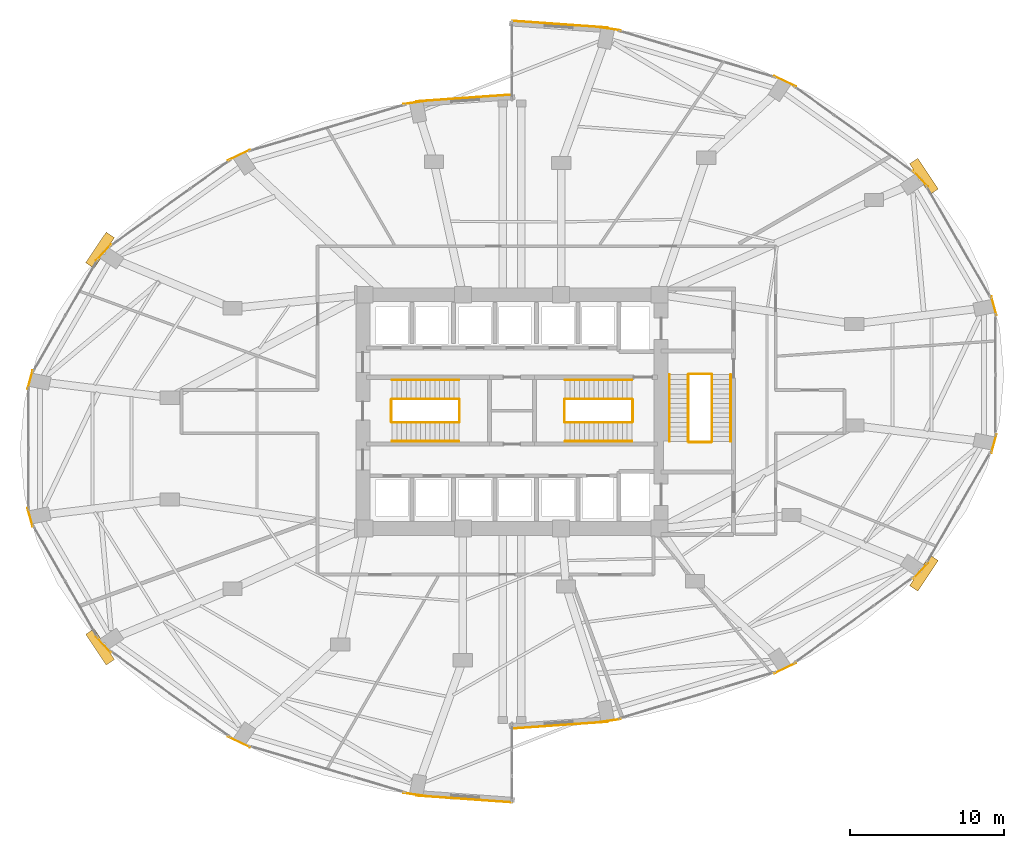
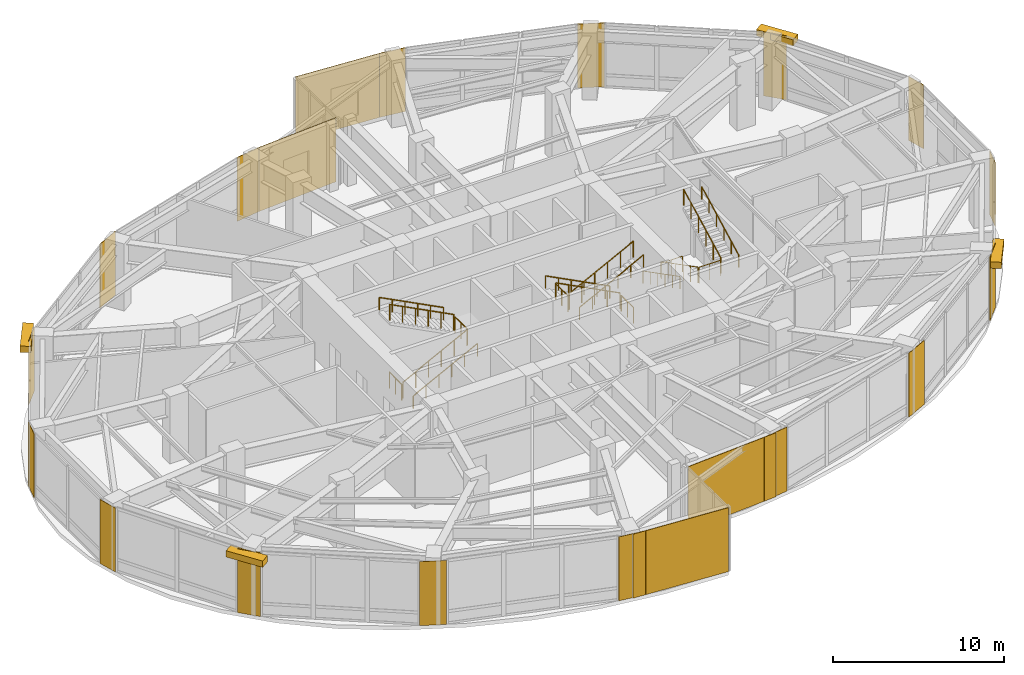
# One storey, part 24 of 24: 20 coverings, 18 railings, 4 shading devices.
"""IFC4 building model written with IfcOpenShell, lengths in metres."""

from ifc_helpers import new_model, si_unit, direction, frame, origin, origin_2d, place, context, subcontext, project, spatial, rectangle, circle, extrude, material, layer, layer_set, type_object, element, save


model = new_model("IFC4")

# Units and contexts
model_context = context("Model", 3, precision=1e-05, world=origin(), true_north=direction((0.0, 1.0)))
body_context = subcontext(model_context, "Body", "Model", "MODEL_VIEW")
ifc_project = project(units=[si_unit("LENGTHUNIT", "METRE"), si_unit("AREAUNIT", "SQUARE_METRE"), si_unit("VOLUMEUNIT", "CUBIC_METRE"), si_unit("PLANEANGLEUNIT", "RADIAN"), si_unit("MASSUNIT", "GRAM", prefix="KILO")], contexts=[model_context])

# Site, building, storey
site_placement = place(None, origin())
site = spatial("IfcSite", under=ifc_project, at=site_placement, CompositionType="ELEMENT")
building_placement = place(site_placement, origin())
building = spatial("IfcBuilding", under=site, at=building_placement, Name="Lazwardi Medical Tower", CompositionType="ELEMENT")
storey_placement = place(building_placement, frame((0.0, 0.0, 20.39990234375)))
storey = spatial("IfcBuildingStorey", under=building, at=storey_placement, Name="L04", CompositionType="ELEMENT", Elevation=20.39990234375)

# Coverings
ifc_material_1 = material(Name="Anodised bronze aluminium cassette cladding", Category="aluminium")
ifc_layer_1 = layer(ifc_material_1, 0.030029296875)
ifc_layer_set_1 = layer_set([ifc_layer_1], Name="Anodised bronze aluminium cassette cladding")
covering_type_1 = type_object("IfcCoveringType", Name="COV-CLD-BRZ", PredefinedType="CLADDING", material=ifc_layer_set_1)
covering_1_placement = place(storey_placement, frame((42.234375, 7.881591796875, 0.0), z_axis=(0.0, 0.0, 1.0), x_axis=(0.989942587141, 0.141469693453, 0.0)))
element("IfcCovering", 1, at=covering_1_placement, inside=storey, type_object=covering_type_1, Name="L04 Mega-column bronze cassette cover M01", PredefinedType="CLADDING", context=body_context, shape_type="SweptSolid", body=[
    extrude(rectangle(XDim=1.71337890625, YDim=0.030029296875, at=origin_2d()), origin(), (0.0, 0.0, 1.0), 4.580078125),
])
covering_2_placement = place(storey_placement, frame((53.75390625, 11.309814453125, 0.0), z_axis=(0.0, 0.0, 1.0), x_axis=(0.901483824326, 0.432812793801, 0.0)))
element("IfcCovering", 2, at=covering_2_placement, inside=storey, type_object=covering_type_1, Name="L04 Mega-column bronze cassette cover M02", PredefinedType="CLADDING", context=body_context, shape_type="SweptSolid", body=[
    extrude(rectangle(XDim=1.59521484375, YDim=0.030029296875, at=origin_2d()), origin(), (0.0, 0.0, 1.0), 4.580078125),
])
covering_3_placement = place(storey_placement, frame((62.57080078125, 17.644287109375, 0.0), z_axis=(0.0, 0.0, 1.0), x_axis=(0.681018709816, 0.732266015107, 0.0)))
element("IfcCovering", 3, at=covering_3_placement, inside=storey, type_object=covering_type_1, Name="L04 Mega-column bronze cassette cover M03", PredefinedType="CLADDING", context=body_context, shape_type="SweptSolid", body=[
    extrude(rectangle(XDim=1.410888671875, YDim=0.030029296875, at=origin_2d()), origin(), (0.0, 0.0, 1.0), 4.580078125),
])
for number, where, z_axis, x_axis, name in (
    (4, (67.34228515625, 25.9208984375, 0.0), (0.0, 0.0, 1.0), (0.266836390112, 0.9637418435, 0.0), "L04 Mega-column bronze cassette cover M04"),
    (5, (67.34228515625, 34.879150390625, 0.0), (0.0, 0.0, 1.0), (-0.266836390112, 0.9637418435, 0.0), "L04 Mega-column bronze cassette cover M05"),
):
    element("IfcCovering", number, at=place(storey_placement, frame(where, z_axis=z_axis, x_axis=x_axis)), inside=storey, type_object=covering_type_1, Name=name, PredefinedType="CLADDING", context=body_context, shape_type="SweptSolid", body=[
        extrude(rectangle(XDim=1.264404296875, YDim=0.030029296875, at=origin_2d()), origin(), (0.0, 0.0, 1.0), 4.580078125),
    ])
covering_4_placement = place(storey_placement, frame((62.57080078125, 43.155517578125, 0.0), z_axis=(0.0, 0.0, 1.0), x_axis=(-0.681018709816, 0.732266015107, 0.0)))
element("IfcCovering", 6, at=covering_4_placement, inside=storey, type_object=covering_type_1, Name="L04 Mega-column bronze cassette cover M06", PredefinedType="CLADDING", context=body_context, shape_type="SweptSolid", body=[
    extrude(rectangle(XDim=1.410888671875, YDim=0.030029296875, at=origin_2d()), origin(), (0.0, 0.0, 1.0), 4.580078125),
])
covering_5_placement = place(storey_placement, frame((53.75390625, 49.490234375, 0.0), z_axis=(0.0, 0.0, 1.0), x_axis=(-0.901483824326, 0.432812793801, 0.0)))
element("IfcCovering", 7, at=covering_5_placement, inside=storey, type_object=covering_type_1, Name="L04 Mega-column bronze cassette cover M07", PredefinedType="CLADDING", context=body_context, shape_type="SweptSolid", body=[
    extrude(rectangle(XDim=1.59521484375, YDim=0.030029296875, at=origin_2d()), origin(), (0.0, 0.0, 1.0), 4.580078125),
])
for number, where, z_axis, x_axis, name in (
    (8, (42.234375, 52.91845703125, 0.0), (0.0, 0.0, 1.0), (-0.989942587141, 0.141469693453, 0.0), "L04 Mega-column bronze cassette cover M08"),
    (9, (29.765625, 48.118408203125, 0.0), (0.0, 0.0, 1.0), (-0.989942587141, -0.141469693453, 0.0), "L04 Mega-column bronze cassette cover M09"),
):
    element("IfcCovering", number, at=place(storey_placement, frame(where, z_axis=z_axis, x_axis=x_axis)), inside=storey, type_object=covering_type_1, Name=name, PredefinedType="CLADDING", context=body_context, shape_type="SweptSolid", body=[
        extrude(rectangle(XDim=1.71337890625, YDim=0.030029296875, at=origin_2d()), origin(), (0.0, 0.0, 1.0), 4.580078125),
    ])
covering_6_placement = place(storey_placement, frame((18.24609375, 44.690185546875, 0.0), z_axis=(0.0, 0.0, 1.0), x_axis=(-0.901483824326, -0.432812793801, 0.0)))
element("IfcCovering", 10, at=covering_6_placement, inside=storey, type_object=covering_type_1, Name="L04 Mega-column bronze cassette cover M10", PredefinedType="CLADDING", context=body_context, shape_type="SweptSolid", body=[
    extrude(rectangle(XDim=1.59521484375, YDim=0.030029296875, at=origin_2d()), origin(), (0.0, 0.0, 1.0), 4.580078125),
])
covering_7_placement = place(storey_placement, frame((9.42919921875, 38.355712890625, 0.0), z_axis=(0.0, 0.0, 1.0), x_axis=(-0.681018709816, -0.732266015107, 0.0)))
element("IfcCovering", 11, at=covering_7_placement, inside=storey, type_object=covering_type_1, Name="L04 Mega-column bronze cassette cover M11", PredefinedType="CLADDING", context=body_context, shape_type="SweptSolid", body=[
    extrude(rectangle(XDim=1.410888671875, YDim=0.030029296875, at=origin_2d()), origin(), (0.0, 0.0, 1.0), 4.580078125),
])
for number, where, z_axis, x_axis, name in (
    (12, (4.65771484375, 30.0791015625, 0.0), (0.0, 0.0, 1.0), (-0.266836390112, -0.9637418435, 0.0), "L04 Mega-column bronze cassette cover M12"),
    (13, (4.65771484375, 21.120849609375, 0.0), (0.0, 0.0, 1.0), (0.266836390112, -0.9637418435, 0.0), "L04 Mega-column bronze cassette cover M13"),
):
    element("IfcCovering", number, at=place(storey_placement, frame(where, z_axis=z_axis, x_axis=x_axis)), inside=storey, type_object=covering_type_1, Name=name, PredefinedType="CLADDING", context=body_context, shape_type="SweptSolid", body=[
        extrude(rectangle(XDim=1.264404296875, YDim=0.030029296875, at=origin_2d()), origin(), (0.0, 0.0, 1.0), 4.580078125),
    ])
covering_8_placement = place(storey_placement, frame((9.42919921875, 12.844482421875, 0.0), z_axis=(0.0, 0.0, 1.0), x_axis=(0.681018709816, -0.732266015107, 0.0)))
element("IfcCovering", 14, at=covering_8_placement, inside=storey, type_object=covering_type_1, Name="L04 Mega-column bronze cassette cover M14", PredefinedType="CLADDING", context=body_context, shape_type="SweptSolid", body=[
    extrude(rectangle(XDim=1.410888671875, YDim=0.030029296875, at=origin_2d()), origin(), (0.0, 0.0, 1.0), 4.580078125),
])
covering_9_placement = place(storey_placement, frame((18.24609375, 6.509765625, 0.0), z_axis=(0.0, 0.0, 1.0), x_axis=(0.901483824326, -0.432812793801, 0.0)))
element("IfcCovering", 15, at=covering_9_placement, inside=storey, type_object=covering_type_1, Name="L04 Mega-column bronze cassette cover M15", PredefinedType="CLADDING", context=body_context, shape_type="SweptSolid", body=[
    extrude(rectangle(XDim=1.59521484375, YDim=0.030029296875, at=origin_2d()), origin(), (0.0, 0.0, 1.0), 4.580078125),
])
covering_10_placement = place(storey_placement, frame((29.765625, 3.08154296875, 0.0), z_axis=(0.0, 0.0, 1.0), x_axis=(0.989942587141, -0.141469693453, 0.0)))
element("IfcCovering", 16, at=covering_10_placement, inside=storey, type_object=covering_type_1, Name="L04 Mega-column bronze cassette cover M16", PredefinedType="CLADDING", context=body_context, shape_type="SweptSolid", body=[
    extrude(rectangle(XDim=1.71337890625, YDim=0.030029296875, at=origin_2d()), origin(), (0.0, 0.0, 1.0), 4.580078125),
])
ifc_material_2 = material(Name="Turquoise glazed ceramic tilework cladding", Category="masonry")
ifc_layer_2 = layer(ifc_material_2, 0.034912109375)
ifc_layer_set_2 = layer_set([ifc_layer_2], Name="Turquoise glazed ceramic tilework cladding")
covering_type_2 = type_object("IfcCoveringType", Name="COV-CLD-TRQ", PredefinedType="CLADDING", material=ifc_layer_set_2)
for number, where, z_axis, x_axis, name in (
    (17, (39.1181640625, 7.6044921875, 0.0), (0.0, 0.0, 1.0), (0.997513140153, 0.070480743625, 0.0), "L04 Turquoise glazed ceramic tilework cladding"),
    (18, (39.1181640625, 53.195556640625, 0.0), (0.0, 0.0, 1.0), (-0.997513140153, 0.070480743625, 0.0), "L04 Turquoise glazed ceramic tilework cladding"),
):
    element("IfcCovering", number, at=place(storey_placement, frame(where, z_axis=z_axis, x_axis=x_axis)), inside=storey, type_object=covering_type_2, Name=name, PredefinedType="CLADDING", context=body_context, shape_type="SweptSolid", body=[
        extrude(rectangle(XDim=6.227294921875, YDim=0.034912109375, at=origin_2d()), origin(), (0.0, 0.0, 1.0), 4.580078125),
    ])
for number, where, z_axis, x_axis, name in (
    (19, (32.881591796875, 48.3955078125, 0.0), (0.0, 0.0, 1.0), (-0.99751264808, -0.070487707578, 0.0), "L04 Turquoise glazed ceramic tilework cladding"),
    (20, (32.881591796875, 2.804443359375, 0.0), (0.0, 0.0, 1.0), (0.99751264808, -0.070487707578, 0.0), "L04 Turquoise glazed ceramic tilework cladding"),
):
    element("IfcCovering", number, at=place(storey_placement, frame(where, z_axis=z_axis, x_axis=x_axis)), inside=storey, type_object=covering_type_2, Name=name, PredefinedType="CLADDING", context=body_context, shape_type="SweptSolid", body=[
        extrude(rectangle(XDim=6.2265625, YDim=0.034912109375, at=origin_2d()), origin(), (0.0, 0.0, 1.0), 4.580078125),
    ])

# Railings
ifc_material_3 = material(Name="Stainless steel Grade 316", Category="steel")
railing_type_1 = type_object("IfcRailingType", Name="RLG-GRD-1150", PredefinedType="GUARDRAIL", material=ifc_material_3)
railing_1_placement = place(storey_placement, frame((28.199951171875, 27.2900390625, 0.16015625)))
element("IfcRailing", 21, at=railing_1_placement, inside=storey, type_object=railing_type_1, Name="L04 ST1 stair guard 1", PredefinedType="GUARDRAIL", context=body_context, shape_type="SweptSolid", body=[
    extrude(circle(Radius=0.02392578125, at=origin_2d()), frame((0.0, 0.0, 1.1259765625), z_axis=(0.888625257326, 0.0, 0.458634006636), x_axis=(0.0, 1.0, 0.0)), (0.0, 0.0, 1.0), 4.884033203125),
    extrude(circle(Radius=0.02099609375, at=origin_2d()), origin(), (0.0, 0.0, 1.0), 1.099853515625),
    extrude(circle(Radius=0.02099609375, at=origin_2d()), frame((0.867919921875, 0.0, 0.447998046875)), (0.0, 0.0, 1.0), 1.099853515625),
    extrude(circle(Radius=0.02099609375, at=origin_2d()), frame((1.736083984375, 0.0, 0.89599609375)), (0.0, 0.0, 1.0), 1.099853515625),
    extrude(circle(Radius=0.02099609375, at=origin_2d()), frame((2.60400390625, 0.0, 1.343994140625)), (0.0, 0.0, 1.0), 1.099853515625),
    extrude(circle(Radius=0.02099609375, at=origin_2d()), frame((3.47216796875, 0.0, 1.7919921875)), (0.0, 0.0, 1.0), 1.099853515625),
    extrude(circle(Radius=0.02099609375, at=origin_2d()), frame((4.340087890625, 0.0, 2.239990234375)), (0.0, 0.0, 1.0), 1.099853515625),
])
railing_2_placement = place(storey_placement, frame((32.590087890625, 27.340087890625, 2.400146484375)))
element("IfcRailing", 22, at=railing_2_placement, inside=storey, type_object=railing_type_1, Name="L04 ST1 stair guard 2", PredefinedType="GUARDRAIL", context=body_context, shape_type="SweptSolid", body=[
    extrude(circle(Radius=0.02392578125, at=origin_2d()), frame((0.0, 0.0, 1.1259765625), z_axis=(0.0, 1.0, 0.0), x_axis=(-1.0, 0.0, 0.0)), (0.0, 0.0, 1.0), 1.43994140625),
    extrude(circle(Radius=0.02099609375, at=origin_2d()), origin(), (0.0, 0.0, 1.0), 1.099853515625),
    extrude(circle(Radius=0.02099609375, at=origin_2d()), frame((0.0, 0.719970703125, 0.0)), (0.0, 0.0, 1.0), 1.099853515625),
    extrude(circle(Radius=0.02099609375, at=origin_2d()), frame((0.0, 1.43994140625, 0.0)), (0.0, 0.0, 1.0), 1.099853515625),
])
railing_3_placement = place(storey_placement, frame((32.5400390625, 28.830078125, 2.56005859375)))
element("IfcRailing", 23, at=railing_3_placement, inside=storey, type_object=railing_type_1, Name="L04 ST1 stair guard 3", PredefinedType="GUARDRAIL", context=body_context, shape_type="SweptSolid", body=[
    extrude(circle(Radius=0.02392578125, at=origin_2d()), frame((0.0, 0.0, 1.1259765625), z_axis=(-0.888625257326, 0.0, 0.458634006636), x_axis=(0.0, -1.0, 0.0)), (0.0, 0.0, 1.0), 4.884033203125),
    extrude(circle(Radius=0.02099609375, at=origin_2d()), origin(), (0.0, 0.0, 1.0), 1.099853515625),
    extrude(circle(Radius=0.02099609375, at=origin_2d()), frame((-0.867919921875, 0.0, 0.447998046875)), (0.0, 0.0, 1.0), 1.099853515625),
    extrude(circle(Radius=0.02099609375, at=origin_2d()), frame((-1.736083984375, 0.0, 0.89599609375)), (0.0, 0.0, 1.0), 1.099853515625),
    extrude(circle(Radius=0.02099609375, at=origin_2d()), frame((-2.60400390625, 0.0, 1.343994140625)), (0.0, 0.0, 1.0), 1.099853515625),
    extrude(circle(Radius=0.02099609375, at=origin_2d()), frame((-3.47216796875, 0.0, 1.7919921875)), (0.0, 0.0, 1.0), 1.099853515625),
    extrude(circle(Radius=0.02099609375, at=origin_2d()), frame((-4.340087890625, 0.0, 2.239990234375)), (0.0, 0.0, 1.0), 1.099853515625),
])
railing_4_placement = place(storey_placement, frame((28.14990234375, 27.340087890625, 0.0)))
element("IfcRailing", 24, at=railing_4_placement, inside=storey, type_object=railing_type_1, Name="L04 ST1 stair guard 4", PredefinedType="GUARDRAIL", context=body_context, shape_type="SweptSolid", body=[
    extrude(circle(Radius=0.02392578125, at=origin_2d()), frame((0.0, 0.0, 1.1259765625), z_axis=(0.0, 1.0, 0.0), x_axis=(-1.0, 0.0, 0.0)), (0.0, 0.0, 1.0), 1.43994140625),
    extrude(circle(Radius=0.02099609375, at=origin_2d()), origin(), (0.0, 0.0, 1.0), 1.099853515625),
    extrude(circle(Radius=0.02099609375, at=origin_2d()), frame((0.0, 0.719970703125, 0.0)), (0.0, 0.0, 1.0), 1.099853515625),
    extrude(circle(Radius=0.02099609375, at=origin_2d()), frame((0.0, 1.43994140625, 0.0)), (0.0, 0.0, 1.0), 1.099853515625),
])
railing_5_placement = place(storey_placement, frame((43.800048828125, 28.830078125, 0.16015625)))
element("IfcRailing", 25, at=railing_5_placement, inside=storey, type_object=railing_type_1, Name="L04 ST2 stair guard 1", PredefinedType="GUARDRAIL", context=body_context, shape_type="SweptSolid", body=[
    extrude(circle(Radius=0.02392578125, at=origin_2d()), frame((0.0, 0.0, 1.1259765625), z_axis=(-0.888625257326, 0.0, 0.458634006636), x_axis=(0.0, -1.0, 0.0)), (0.0, 0.0, 1.0), 4.884033203125),
    extrude(circle(Radius=0.02099609375, at=origin_2d()), origin(), (0.0, 0.0, 1.0), 1.099853515625),
    extrude(circle(Radius=0.02099609375, at=origin_2d()), frame((-0.867919921875, 0.0, 0.447998046875)), (0.0, 0.0, 1.0), 1.099853515625),
    extrude(circle(Radius=0.02099609375, at=origin_2d()), frame((-1.736083984375, 0.0, 0.89599609375)), (0.0, 0.0, 1.0), 1.099853515625),
    extrude(circle(Radius=0.02099609375, at=origin_2d()), frame((-2.60400390625, 0.0, 1.343994140625)), (0.0, 0.0, 1.0), 1.099853515625),
    extrude(circle(Radius=0.02099609375, at=origin_2d()), frame((-3.47216796875, 0.0, 1.7919921875)), (0.0, 0.0, 1.0), 1.099853515625),
    extrude(circle(Radius=0.02099609375, at=origin_2d()), frame((-4.340087890625, 0.0, 2.239990234375)), (0.0, 0.0, 1.0), 1.099853515625),
])
railing_6_placement = place(storey_placement, frame((39.409912109375, 28.780029296875, 2.400146484375)))
element("IfcRailing", 26, at=railing_6_placement, inside=storey, type_object=railing_type_1, Name="L04 ST2 stair guard 2", PredefinedType="GUARDRAIL", context=body_context, shape_type="SweptSolid", body=[
    extrude(circle(Radius=0.02392578125, at=origin_2d()), frame((0.0, 0.0, 1.1259765625), z_axis=(0.0, -1.0, 0.0), x_axis=(1.0, 0.0, 0.0)), (0.0, 0.0, 1.0), 1.43994140625),
    extrude(circle(Radius=0.02099609375, at=origin_2d()), origin(), (0.0, 0.0, 1.0), 1.099853515625),
    extrude(circle(Radius=0.02099609375, at=origin_2d()), frame((0.0, -0.719970703125, 0.0)), (0.0, 0.0, 1.0), 1.099853515625),
    extrude(circle(Radius=0.02099609375, at=origin_2d()), frame((0.0, -1.43994140625, 0.0)), (0.0, 0.0, 1.0), 1.099853515625),
])
railing_7_placement = place(storey_placement, frame((39.4599609375, 27.2900390625, 2.56005859375)))
element("IfcRailing", 27, at=railing_7_placement, inside=storey, type_object=railing_type_1, Name="L04 ST2 stair guard 3", PredefinedType="GUARDRAIL", context=body_context, shape_type="SweptSolid", body=[
    extrude(circle(Radius=0.02392578125, at=origin_2d()), frame((0.0, 0.0, 1.1259765625), z_axis=(0.888625257326, 0.0, 0.458634006636), x_axis=(0.0, 1.0, 0.0)), (0.0, 0.0, 1.0), 4.884033203125),
    extrude(circle(Radius=0.02099609375, at=origin_2d()), origin(), (0.0, 0.0, 1.0), 1.099853515625),
    extrude(circle(Radius=0.02099609375, at=origin_2d()), frame((0.867919921875, 0.0, 0.447998046875)), (0.0, 0.0, 1.0), 1.099853515625),
    extrude(circle(Radius=0.02099609375, at=origin_2d()), frame((1.736083984375, 0.0, 0.89599609375)), (0.0, 0.0, 1.0), 1.099853515625),
    extrude(circle(Radius=0.02099609375, at=origin_2d()), frame((2.60400390625, 0.0, 1.343994140625)), (0.0, 0.0, 1.0), 1.099853515625),
    extrude(circle(Radius=0.02099609375, at=origin_2d()), frame((3.47216796875, 0.0, 1.7919921875)), (0.0, 0.0, 1.0), 1.099853515625),
    extrude(circle(Radius=0.02099609375, at=origin_2d()), frame((4.340087890625, 0.0, 2.239990234375)), (0.0, 0.0, 1.0), 1.099853515625),
])
railing_8_placement = place(storey_placement, frame((43.85009765625, 28.780029296875, 0.0)))
element("IfcRailing", 28, at=railing_8_placement, inside=storey, type_object=railing_type_1, Name="L04 ST2 stair guard 4", PredefinedType="GUARDRAIL", context=body_context, shape_type="SweptSolid", body=[
    extrude(circle(Radius=0.02392578125, at=origin_2d()), frame((0.0, 0.0, 1.1259765625), z_axis=(0.0, -1.0, 0.0), x_axis=(1.0, 0.0, 0.0)), (0.0, 0.0, 1.0), 1.43994140625),
    extrude(circle(Radius=0.02099609375, at=origin_2d()), origin(), (0.0, 0.0, 1.0), 1.099853515625),
    extrude(circle(Radius=0.02099609375, at=origin_2d()), frame((0.0, -0.719970703125, 0.0)), (0.0, 0.0, 1.0), 1.099853515625),
    extrude(circle(Radius=0.02099609375, at=origin_2d()), frame((0.0, -1.43994140625, 0.0)), (0.0, 0.0, 1.0), 1.099853515625),
])
railing_9_placement = place(storey_placement, frame((47.469970703125, 30.39990234375, 0.16015625)))
element("IfcRailing", 29, at=railing_9_placement, inside=storey, type_object=railing_type_1, Name="L04 ST3 stair guard 1", PredefinedType="GUARDRAIL", context=body_context, shape_type="SweptSolid", body=[
    extrude(circle(Radius=0.02392578125, at=origin_2d()), frame((0.0, 0.0, 1.1259765625), z_axis=(0.0, -0.888614742027, 0.458654379956), x_axis=(1.0, 0.0, 0.0)), (0.0, 0.0, 1.0), 4.8837890625),
    extrude(circle(Radius=0.02099609375, at=origin_2d()), origin(), (0.0, 0.0, 1.0), 1.099853515625),
    extrude(circle(Radius=0.02099609375, at=origin_2d()), frame((0.0, -0.867919921875, 0.447998046875)), (0.0, 0.0, 1.0), 1.099853515625),
    extrude(circle(Radius=0.02099609375, at=origin_2d()), frame((0.0, -1.73583984375, 0.89599609375)), (0.0, 0.0, 1.0), 1.099853515625),
    extrude(circle(Radius=0.02099609375, at=origin_2d()), frame((0.0, -2.60400390625, 1.343994140625)), (0.0, 0.0, 1.0), 1.099853515625),
    extrude(circle(Radius=0.02099609375, at=origin_2d()), frame((0.0, -3.471923828125, 1.7919921875)), (0.0, 0.0, 1.0), 1.099853515625),
    extrude(circle(Radius=0.02099609375, at=origin_2d()), frame((0.0, -4.33984375, 2.239990234375)), (0.0, 0.0, 1.0), 1.099853515625),
])
railing_10_placement = place(storey_placement, frame((47.52001953125, 26.010009765625, 2.400146484375)))
element("IfcRailing", 30, at=railing_10_placement, inside=storey, type_object=railing_type_1, Name="L04 ST3 stair guard 2", PredefinedType="GUARDRAIL", context=body_context, shape_type="SweptSolid", body=[
    extrude(circle(Radius=0.02392578125, at=origin_2d()), frame((0.0, 0.0, 1.1259765625), z_axis=(1.0, 0.0, 0.0), x_axis=(0.0, 1.0, 0.0)), (0.0, 0.0, 1.0), 1.43994140625),
    extrude(circle(Radius=0.02099609375, at=origin_2d()), origin(), (0.0, 0.0, 1.0), 1.099853515625),
    extrude(circle(Radius=0.02099609375, at=origin_2d()), frame((0.719970703125, 0.0, 0.0)), (0.0, 0.0, 1.0), 1.099853515625),
    extrude(circle(Radius=0.02099609375, at=origin_2d()), frame((1.43994140625, 0.0, 0.0)), (0.0, 0.0, 1.0), 1.099853515625),
])
railing_11_placement = place(storey_placement, frame((49.010009765625, 26.06005859375, 2.56005859375)))
element("IfcRailing", 31, at=railing_11_placement, inside=storey, type_object=railing_type_1, Name="L04 ST3 stair guard 3", PredefinedType="GUARDRAIL", context=body_context, shape_type="SweptSolid", body=[
    extrude(circle(Radius=0.02392578125, at=origin_2d()), frame((0.0, 0.0, 1.1259765625), z_axis=(0.0, 0.888614742027, 0.458654379956), x_axis=(-1.0, 0.0, 0.0)), (0.0, 0.0, 1.0), 4.8837890625),
    extrude(circle(Radius=0.02099609375, at=origin_2d()), origin(), (0.0, 0.0, 1.0), 1.099853515625),
    extrude(circle(Radius=0.02099609375, at=origin_2d()), frame((0.0, 0.867919921875, 0.447998046875)), (0.0, 0.0, 1.0), 1.099853515625),
    extrude(circle(Radius=0.02099609375, at=origin_2d()), frame((0.0, 1.73583984375, 0.89599609375)), (0.0, 0.0, 1.0), 1.099853515625),
    extrude(circle(Radius=0.02099609375, at=origin_2d()), frame((0.0, 2.60400390625, 1.343994140625)), (0.0, 0.0, 1.0), 1.099853515625),
    extrude(circle(Radius=0.02099609375, at=origin_2d()), frame((0.0, 3.471923828125, 1.7919921875)), (0.0, 0.0, 1.0), 1.099853515625),
    extrude(circle(Radius=0.02099609375, at=origin_2d()), frame((0.0, 4.33984375, 2.239990234375)), (0.0, 0.0, 1.0), 1.099853515625),
])
railing_12_placement = place(storey_placement, frame((47.52001953125, 30.449951171875, 0.0)))
element("IfcRailing", 32, at=railing_12_placement, inside=storey, type_object=railing_type_1, Name="L04 ST3 stair guard 4", PredefinedType="GUARDRAIL", context=body_context, shape_type="SweptSolid", body=[
    extrude(circle(Radius=0.02392578125, at=origin_2d()), frame((0.0, 0.0, 1.1259765625), z_axis=(1.0, 0.0, 0.0), x_axis=(0.0, 1.0, 0.0)), (0.0, 0.0, 1.0), 1.43994140625),
    extrude(circle(Radius=0.02099609375, at=origin_2d()), origin(), (0.0, 0.0, 1.0), 1.099853515625),
    extrude(circle(Radius=0.02099609375, at=origin_2d()), frame((0.719970703125, 0.0, 0.0)), (0.0, 0.0, 1.0), 1.099853515625),
    extrude(circle(Radius=0.02099609375, at=origin_2d()), frame((1.43994140625, 0.0, 0.0)), (0.0, 0.0, 1.0), 1.099853515625),
])
railing_type_2 = type_object("IfcRailingType", Name="RLG-HND-920", PredefinedType="HANDRAIL", material=ifc_material_3)
railing_13_placement = place(storey_placement, frame((28.199951171875, 26.070068359375, 0.16015625)))
element("IfcRailing", 33, at=railing_13_placement, inside=storey, type_object=railing_type_2, Name="L04 ST1 stair handrail 1", PredefinedType="HANDRAIL", context=body_context, shape_type="SweptSolid", body=[
    extrude(circle(Radius=0.02392578125, at=origin_2d()), frame((0.0, 0.0, 0.8857421875), z_axis=(0.888625257326, 0.0, 0.458634006636), x_axis=(0.0, 1.0, 0.0)), (0.0, 0.0, 1.0), 4.884033203125),
    extrude(circle(Radius=0.02099609375, at=origin_2d()), origin(), (0.0, 0.0, 1.0), 0.85986328125),
    extrude(circle(Radius=0.02099609375, at=origin_2d()), frame((0.867919921875, 0.0, 0.447998046875)), (0.0, 0.0, 1.0), 0.85986328125),
    extrude(circle(Radius=0.02099609375, at=origin_2d()), frame((1.736083984375, 0.0, 0.89599609375)), (0.0, 0.0, 1.0), 0.85986328125),
    extrude(circle(Radius=0.02099609375, at=origin_2d()), frame((2.60400390625, 0.0, 1.343994140625)), (0.0, 0.0, 1.0), 0.85986328125),
    extrude(circle(Radius=0.02099609375, at=origin_2d()), frame((3.47216796875, 0.0, 1.7919921875)), (0.0, 0.0, 1.0), 0.85986328125),
    extrude(circle(Radius=0.02099609375, at=origin_2d()), frame((4.340087890625, 0.0, 2.239990234375)), (0.0, 0.0, 1.0), 0.85986328125),
])
for number, where, name in (
    (34, (32.5400390625, 30.050048828125, 2.56005859375), "L04 ST1 stair handrail 2"),
    (35, (43.800048828125, 30.050048828125, 0.16015625), "L04 ST2 stair handrail 1"),
):
    element("IfcRailing", number, at=place(storey_placement, frame(where)), inside=storey, type_object=railing_type_2, Name=name, PredefinedType="HANDRAIL", context=body_context, shape_type="SweptSolid", body=[
        extrude(circle(Radius=0.02392578125, at=origin_2d()), frame((0.0, 0.0, 0.8857421875), z_axis=(-0.888625257326, 0.0, 0.458634006636), x_axis=(0.0, -1.0, 0.0)), (0.0, 0.0, 1.0), 4.884033203125),
        extrude(circle(Radius=0.02099609375, at=origin_2d()), origin(), (0.0, 0.0, 1.0), 0.85986328125),
        extrude(circle(Radius=0.02099609375, at=origin_2d()), frame((-0.867919921875, 0.0, 0.447998046875)), (0.0, 0.0, 1.0), 0.85986328125),
        extrude(circle(Radius=0.02099609375, at=origin_2d()), frame((-1.736083984375, 0.0, 0.89599609375)), (0.0, 0.0, 1.0), 0.85986328125),
        extrude(circle(Radius=0.02099609375, at=origin_2d()), frame((-2.60400390625, 0.0, 1.343994140625)), (0.0, 0.0, 1.0), 0.85986328125),
        extrude(circle(Radius=0.02099609375, at=origin_2d()), frame((-3.47216796875, 0.0, 1.7919921875)), (0.0, 0.0, 1.0), 0.85986328125),
        extrude(circle(Radius=0.02099609375, at=origin_2d()), frame((-4.340087890625, 0.0, 2.239990234375)), (0.0, 0.0, 1.0), 0.85986328125),
    ])
railing_14_placement = place(storey_placement, frame((39.4599609375, 26.070068359375, 2.56005859375)))
element("IfcRailing", 36, at=railing_14_placement, inside=storey, type_object=railing_type_2, Name="L04 ST2 stair handrail 2", PredefinedType="HANDRAIL", context=body_context, shape_type="SweptSolid", body=[
    extrude(circle(Radius=0.02392578125, at=origin_2d()), frame((0.0, 0.0, 0.8857421875), z_axis=(0.888625257326, 0.0, 0.458634006636), x_axis=(0.0, 1.0, 0.0)), (0.0, 0.0, 1.0), 4.884033203125),
    extrude(circle(Radius=0.02099609375, at=origin_2d()), origin(), (0.0, 0.0, 1.0), 0.85986328125),
    extrude(circle(Radius=0.02099609375, at=origin_2d()), frame((0.867919921875, 0.0, 0.447998046875)), (0.0, 0.0, 1.0), 0.85986328125),
    extrude(circle(Radius=0.02099609375, at=origin_2d()), frame((1.736083984375, 0.0, 0.89599609375)), (0.0, 0.0, 1.0), 0.85986328125),
    extrude(circle(Radius=0.02099609375, at=origin_2d()), frame((2.60400390625, 0.0, 1.343994140625)), (0.0, 0.0, 1.0), 0.85986328125),
    extrude(circle(Radius=0.02099609375, at=origin_2d()), frame((3.47216796875, 0.0, 1.7919921875)), (0.0, 0.0, 1.0), 0.85986328125),
    extrude(circle(Radius=0.02099609375, at=origin_2d()), frame((4.340087890625, 0.0, 2.239990234375)), (0.0, 0.0, 1.0), 0.85986328125),
])
railing_15_placement = place(storey_placement, frame((46.25, 30.39990234375, 0.16015625)))
element("IfcRailing", 37, at=railing_15_placement, inside=storey, type_object=railing_type_2, Name="L04 ST3 stair handrail 1", PredefinedType="HANDRAIL", context=body_context, shape_type="SweptSolid", body=[
    extrude(circle(Radius=0.02392578125, at=origin_2d()), frame((0.0, 0.0, 0.8857421875), z_axis=(0.0, -0.888614742027, 0.458654379956), x_axis=(1.0, 0.0, 0.0)), (0.0, 0.0, 1.0), 4.8837890625),
    extrude(circle(Radius=0.02099609375, at=origin_2d()), origin(), (0.0, 0.0, 1.0), 0.85986328125),
    extrude(circle(Radius=0.02099609375, at=origin_2d()), frame((0.0, -0.867919921875, 0.447998046875)), (0.0, 0.0, 1.0), 0.85986328125),
    extrude(circle(Radius=0.02099609375, at=origin_2d()), frame((0.0, -1.73583984375, 0.89599609375)), (0.0, 0.0, 1.0), 0.85986328125),
    extrude(circle(Radius=0.02099609375, at=origin_2d()), frame((0.0, -2.60400390625, 1.343994140625)), (0.0, 0.0, 1.0), 0.85986328125),
    extrude(circle(Radius=0.02099609375, at=origin_2d()), frame((0.0, -3.471923828125, 1.7919921875)), (0.0, 0.0, 1.0), 0.85986328125),
    extrude(circle(Radius=0.02099609375, at=origin_2d()), frame((0.0, -4.33984375, 2.239990234375)), (0.0, 0.0, 1.0), 0.85986328125),
])
railing_16_placement = place(storey_placement, frame((50.22998046875, 26.06005859375, 2.56005859375)))
element("IfcRailing", 38, at=railing_16_placement, inside=storey, type_object=railing_type_2, Name="L04 ST3 stair handrail 2", PredefinedType="HANDRAIL", context=body_context, shape_type="SweptSolid", body=[
    extrude(circle(Radius=0.02392578125, at=origin_2d()), frame((0.0, 0.0, 0.8857421875), z_axis=(0.0, 0.888614742027, 0.458654379956), x_axis=(-1.0, 0.0, 0.0)), (0.0, 0.0, 1.0), 4.8837890625),
    extrude(circle(Radius=0.02099609375, at=origin_2d()), origin(), (0.0, 0.0, 1.0), 0.85986328125),
    extrude(circle(Radius=0.02099609375, at=origin_2d()), frame((0.0, 0.867919921875, 0.447998046875)), (0.0, 0.0, 1.0), 0.85986328125),
    extrude(circle(Radius=0.02099609375, at=origin_2d()), frame((0.0, 1.73583984375, 0.89599609375)), (0.0, 0.0, 1.0), 0.85986328125),
    extrude(circle(Radius=0.02099609375, at=origin_2d()), frame((0.0, 2.60400390625, 1.343994140625)), (0.0, 0.0, 1.0), 0.85986328125),
    extrude(circle(Radius=0.02099609375, at=origin_2d()), frame((0.0, 3.471923828125, 1.7919921875)), (0.0, 0.0, 1.0), 0.85986328125),
    extrude(circle(Radius=0.02099609375, at=origin_2d()), frame((0.0, 4.33984375, 2.239990234375)), (0.0, 0.0, 1.0), 0.85986328125),
])

# Shading devices
ifc_material_4 = material(Name="Anodised bronze aluminium sunshade", Category="aluminium")
shading_device_type = type_object("IfcShadingDeviceType", Name="SHD-SUN-01", PredefinedType="USERDEFINED", material=ifc_material_4)
for number, where, z_axis, x_axis, name in (
    (39, (62.7900390625, 17.499755859375, 4.10498046875), (0.0, 0.0, 1.0), (0.55557023302, 0.831469612303, 0.0), "L04 Podium Diagnostic Sunshade 1"),
    (40, (62.7900390625, 43.30029296875, 4.10498046875), (0.0, 0.0, 1.0), (-0.55557023302, 0.831469612303, 0.0), "L04 Podium Diagnostic Sunshade 2"),
    (41, (9.2099609375, 38.500244140625, 4.10498046875), (0.0, 0.0, 1.0), (-0.55557023302, -0.831469612303, 0.0), "L04 Podium Diagnostic Sunshade 3"),
    (42, (9.2099609375, 12.69970703125, 4.10498046875), (0.0, 0.0, 1.0), (0.55557023302, -0.831469612303, 0.0), "L04 Podium Diagnostic Sunshade 4"),
):
    element("IfcShadingDevice", number, at=place(storey_placement, frame(where, z_axis=z_axis, x_axis=x_axis)), inside=storey, type_object=shading_device_type, Name=name, ObjectType="SUNSHADE", PredefinedType="USERDEFINED", context=body_context, shape_type="SweptSolid", body=[
        extrude(rectangle(XDim=2.39990234375, YDim=0.64990234375, at=origin_2d()), origin(), (0.0, 0.0, 1.0), 0.449951171875),
    ])

save(model, "model.ifc")
